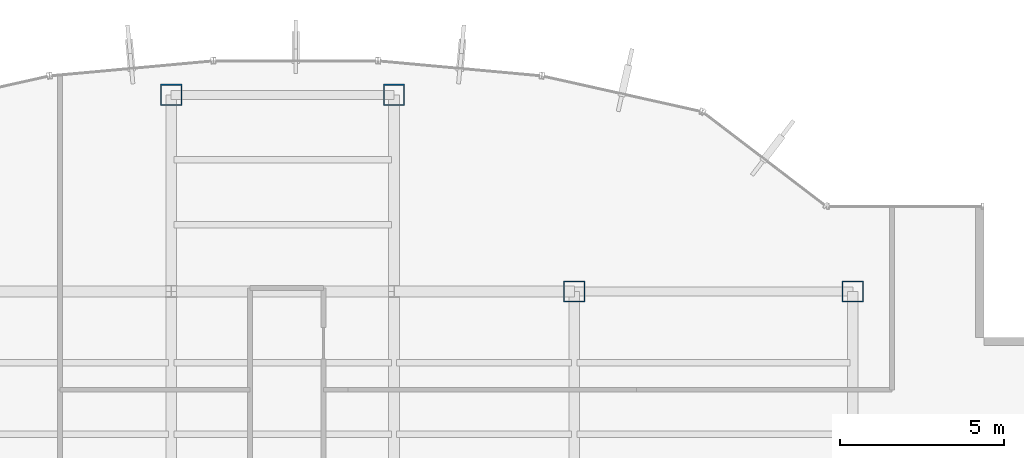
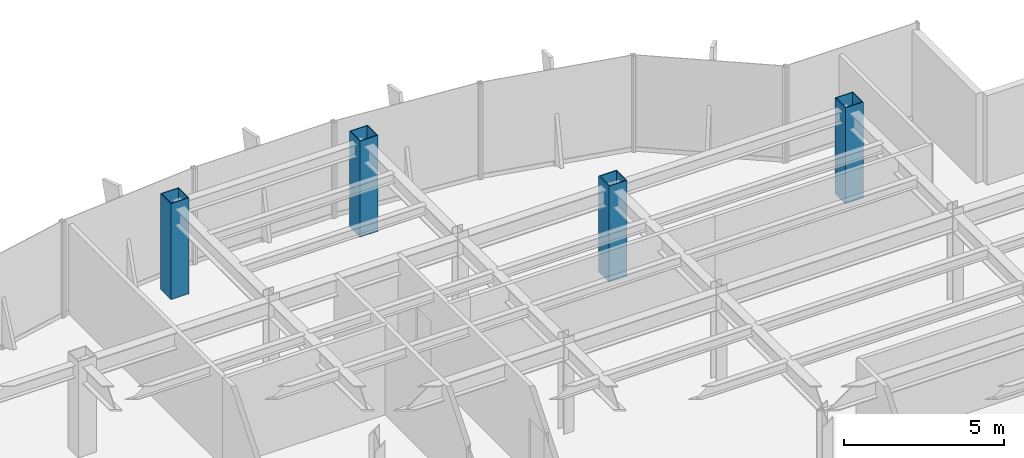
# One storey, part 2 of 25: 4 columns.
"""IFC4 building model written with IfcOpenShell, lengths in metres."""

import ifcopenshell
import ifcopenshell.guid

model = None  # the IFC model being written
_history = None  # IfcOwnerHistory: only IFC2X3 demands one
_inside = {}  # id of a spatial element -> (the spatial element, [elements in it])
_under = {}  # id of a project, library or spatial element -> (it, [spatial elements below it])
_declared = {}  # id of a project -> (the project, [libraries it declares])
_typed = {}  # id of a type object -> (the type object, [elements of that type])
_made_of = {}  # id of a material, layer set ... -> (it, [elements and type objects made of it])


def new_model(schema):
    """Start an empty IFC model of exactly this schema.

    Asked for "IFC4X3", IfcOpenShell would pick the latest addendum, in which some entities
    have other attributes; the version numbers below select the first issue.
    IFC2X3 requires an IfcOwnerHistory on every rooted entity: one is made here for all.
    """
    global model, _history
    if schema == "IFC4X3":
        model = ifcopenshell.file(schema_version=(4, 3, 0, 0))
    else:
        model = ifcopenshell.file(schema=schema)
    _inside.clear()
    _under.clear()
    _declared.clear()
    _typed.clear()
    _made_of.clear()
    _history = None
    if model.schema == "IFC2X3":
        org = make("IfcOrganization", Name="unknown")
        user = make(
            "IfcPersonAndOrganization",
            ThePerson=make("IfcPerson", FamilyName="unknown"),
            TheOrganization=org,
        )
        app = make(
            "IfcApplication",
            ApplicationDeveloper=org,
            Version="unknown",
            ApplicationFullName="unknown",
            ApplicationIdentifier="unknown",
        )
        _history = make(
            "IfcOwnerHistory",
            OwningUser=user,
            OwningApplication=app,
            ChangeAction="ADDED",
            CreationDate=0,
        )
    return model


def make(cls, **values):
    """One entity of the class cls with the attributes given. An attribute that is None is left unset."""
    return model.create_entity(
        cls, **{name: value for name, value in values.items() if value is not None}
    )


def rooted(cls, **values):
    """An entity with a GlobalId (a new one), such as an element, a storey or a relation."""
    return make(cls, GlobalId=ifcopenshell.guid.new(), OwnerHistory=_history, **values)


def si_unit(unit_type, name, prefix=None):
    """IfcSIUnit, for example si_unit("LENGTHUNIT", "METRE", prefix="MILLI")."""
    return make("IfcSIUnit", UnitType=unit_type, Prefix=prefix, Name=name)


def derived_unit(unit_type, elements):
    """IfcDerivedUnit: a product of units, each with its exponent."""
    return make(
        "IfcDerivedUnit",
        Elements=[
            make("IfcDerivedUnitElement", Unit=unit, Exponent=power)
            for unit, power in elements
        ],
        UnitType=unit_type,
    )


def assignment(units):
    """IfcUnitAssignment: the units of a project."""
    return None if units is None else make("IfcUnitAssignment", Units=units)


def point(xyz):
    """IfcCartesianPoint."""
    return None if xyz is None else make("IfcCartesianPoint", Coordinates=xyz)


def direction(xyz):
    """IfcDirection."""
    return None if xyz is None else make("IfcDirection", DirectionRatios=xyz)


def frame(location, z_axis=None, x_axis=None):
    """IfcAxis2Placement3D, a coordinate frame: its origin and axes. An axis left out is left unset."""
    return make(
        "IfcAxis2Placement3D",
        Location=point(location),
        Axis=direction(z_axis),
        RefDirection=direction(x_axis),
    )


def frame_2d(location, x_axis=None):
    """IfcAxis2Placement2D, a coordinate frame in the plane: its origin and x axis."""
    return make(
        "IfcAxis2Placement2D", Location=point(location), RefDirection=direction(x_axis)
    )


def origin():
    """The frame at (0, 0, 0) with its axes left unset."""
    return frame((0.0, 0.0, 0.0))


def origin_2d():
    """The frame at (0, 0) in the plane with its x axis left unset."""
    return frame_2d((0.0, 0.0))


def place(relative_to, where):
    """IfcLocalPlacement: puts the frame where relative to a parent placement (None: the world)."""
    return make(
        "IfcLocalPlacement", PlacementRelTo=relative_to, RelativePlacement=where
    )


def context(
    kind, dimensions, precision=None, world=None, true_north=None, identifier=None
):
    """IfcGeometricRepresentationContext, for example the 3D "Model" context."""
    return make(
        "IfcGeometricRepresentationContext",
        ContextIdentifier=identifier,
        ContextType=kind,
        CoordinateSpaceDimension=dimensions,
        Precision=precision,
        WorldCoordinateSystem=world,
        TrueNorth=true_north,
    )


def subcontext(parent, identifier, kind, view, scale=None):
    """IfcGeometricRepresentationSubContext, for example "Body" below "Model"."""
    return make(
        "IfcGeometricRepresentationSubContext",
        ContextIdentifier=identifier,
        ContextType=kind,
        ParentContext=parent,
        TargetScale=scale,
        TargetView=view,
    )


def project(units=None, contexts=None):
    """IfcProject with its units and contexts."""
    return rooted(
        "IfcProject",
        Name="project",
        RepresentationContexts=contexts,
        UnitsInContext=assignment(units),
    )


def spatial(cls, under=None, at=None, **own):
    """A site, building, storey or space (cls), placed at a placement, below another one or the project."""
    s = rooted(cls, ObjectPlacement=at, **own)
    if under is not None:
        _under.setdefault(under.id(), (under, []))[1].append(s)
    return s


def profile(cls, at=None, kind="AREA", **sizes):
    """A parametric profile (cls). Its sizes go by their IFC names, for example OverallWidth=200.0."""
    return make(cls, ProfileType=kind, Position=at, **sizes)


def hollow_rectangle(**sizes):
    """IfcRectangleHollowProfileDef."""
    return profile("IfcRectangleHollowProfileDef", **sizes)


def extrude(swept, where, along, depth):
    """IfcExtrudedAreaSolid: the profile swept, set in the frame where, extruded along a direction by depth."""
    return make(
        "IfcExtrudedAreaSolid",
        SweptArea=swept,
        Position=where,
        ExtrudedDirection=direction(along),
        Depth=depth,
    )


def shape(context_of_items, identifier, shape_type, items):
    """IfcShapeRepresentation: the items that make up one representation, for example the "Body"."""
    return make(
        "IfcShapeRepresentation",
        ContextOfItems=context_of_items,
        RepresentationIdentifier=identifier,
        RepresentationType=shape_type,
        Items=items,
    )


def source(mapping_origin, context_of_items, identifier, shape_type, items):
    """IfcRepresentationMap: a shape defined once, which mapped items show again and again."""
    return make(
        "IfcRepresentationMap",
        MappingOrigin=mapping_origin,
        MappedRepresentation=shape(context_of_items, identifier, shape_type, items),
    )


def transform(
    local_origin,
    x_axis=None,
    y_axis=None,
    z_axis=None,
    scale=None,
    scale2=None,
    scale3=None,
    uniform=True,
):
    """IfcCartesianTransformationOperator3D, or its non-uniform kind. x_axis, y_axis, z_axis: its Axis1, 2, 3."""
    if uniform:
        return make(
            "IfcCartesianTransformationOperator3D",
            Axis1=direction(x_axis),
            Axis2=direction(y_axis),
            LocalOrigin=point(local_origin),
            Scale=scale,
            Axis3=direction(z_axis),
        )
    return make(
        "IfcCartesianTransformationOperator3DnonUniform",
        Axis1=direction(x_axis),
        Axis2=direction(y_axis),
        LocalOrigin=point(local_origin),
        Scale=scale,
        Axis3=direction(z_axis),
        Scale2=scale2,
        Scale3=scale3,
    )


def mapped(mapping_source, mapping_target):
    """IfcMappedItem: shows the shape of a source again, moved by a transform."""
    return make(
        "IfcMappedItem", MappingSource=mapping_source, MappingTarget=mapping_target
    )


def material(Name=None, Category=None):
    """IfcMaterial."""
    return make("IfcMaterial", Name=Name, Category=Category)


def material_profile(
    of_material, cross_section, Name=None, Category=None, Priority=None
):
    """IfcMaterialProfile: a cross section and its material."""
    return make(
        "IfcMaterialProfile",
        Name=Name,
        Material=of_material,
        Profile=cross_section,
        Priority=Priority,
        Category=Category,
    )


def profile_set(profiles, Name=None, composite=None):
    """IfcMaterialProfileSet."""
    return make(
        "IfcMaterialProfileSet",
        Name=Name,
        MaterialProfiles=profiles,
        CompositeProfile=composite,
    )


def made_of(thing, what):
    """Note that an element or type object is made of a material, layer set ...; save() writes the relation."""
    if what is not None:
        _made_of.setdefault(what.id(), (what, []))[1].append(thing)
    return thing


def type_object(cls, material=None, **own):
    """A type object (cls), such as IfcWallType, which elements share."""
    return made_of(rooted(cls, **own), material)


def element(
    cls,
    number,
    at=None,
    inside=None,
    cuts=None,
    type_object=None,
    material=None,
    context=None,
    identifier="Body",
    shape_type=None,
    held_by="IfcProductDefinitionShape",
    body=None,
    shapes=None,
    **own,
):
    """One element of the class cls, such as IfcWall. Its Tag is "e" and its number.

    at: its placement. inside: the storey or other place that contains it. cuts: it is an
    opening in that element (IfcRelVoidsElement). A single representation is given by context,
    identifier, shape_type and body (its items); several are given by shapes. held_by: the class
    of the entity that holds the representations. save() writes the other relations.
    """
    e = rooted(cls, Tag="e%d" % number, ObjectPlacement=at, **own)
    if body is not None:
        shapes = [shape(context, identifier, shape_type, body)]
    if shapes is not None:
        e.Representation = make(held_by, Representations=shapes)
    if inside is not None:
        _inside.setdefault(inside.id(), (inside, []))[1].append(e)
    if cuts is not None:
        rooted(
            "IfcRelVoidsElement", RelatingBuildingElement=cuts, RelatedOpeningElement=e
        )
    if type_object is not None:
        _typed.setdefault(type_object.id(), (type_object, []))[1].append(e)
    return made_of(e, material)


def aggregate(whole, parts):
    """IfcRelAggregates: a whole, such as a stair, and the parts it consists of."""
    return rooted("IfcRelAggregates", RelatingObject=whole, RelatedObjects=parts)


def save(model, path):
    """Write the relations noted so far, then the file.

    IfcRelAggregates (storeys below a building ...), IfcRelContainedInSpatialStructure (elements
    in a storey), IfcRelDefinesByType, IfcRelAssociatesMaterial and IfcRelDeclares: one each for
    every whole, place, type object, material and project.
    """
    for whole, parts in _under.values():
        aggregate(whole, parts)
    for where, things in _inside.values():
        rooted(
            "IfcRelContainedInSpatialStructure",
            RelatedElements=things,
            RelatingStructure=where,
        )
    for kind, things in _typed.values():
        rooted("IfcRelDefinesByType", RelatedObjects=things, RelatingType=kind)
    for what, things in _made_of.values():
        rooted("IfcRelAssociatesMaterial", RelatedObjects=things, RelatingMaterial=what)
    for by, libraries in _declared.values():
        rooted("IfcRelDeclares", RelatingContext=by, RelatedDefinitions=libraries)
    model.write(path)


model = new_model("IFC4")

# Units and contexts
model_context = context("Model", 3, precision=1e-05, world=origin(), true_north=direction((0.0, 1.0)))
body_context = subcontext(model_context, "Body", "Model", "MODEL_VIEW")
ifc_project = project(units=[si_unit("LENGTHUNIT", "METRE"), si_unit("AREAUNIT", "SQUARE_METRE"), si_unit("VOLUMEUNIT", "CUBIC_METRE"), si_unit("PLANEANGLEUNIT", "RADIAN"), si_unit("MASSUNIT", "GRAM", prefix="KILO"), derived_unit("THERMALTRANSMITTANCEUNIT", [(si_unit("POWERUNIT", "WATT"), 1), (si_unit("LENGTHUNIT", "METRE"), -2), (si_unit("THERMODYNAMICTEMPERATUREUNIT", "KELVIN"), -1)])], contexts=[model_context])

# Site, building, storey
site_placement = place(None, origin())
site = spatial("IfcSite", under=ifc_project, at=site_placement, CompositionType="ELEMENT")
building_placement = place(site_placement, origin())
building = spatial("IfcBuilding", under=site, at=building_placement, Name="Skarnbrae Concourse Arena and Tower", CompositionType="ELEMENT")
storey_placement = place(building_placement, frame((0.0, 0.0, 147.89990234375)))
storey = spatial("IfcBuildingStorey", under=building, at=storey_placement, Name="L37", CompositionType="ELEMENT", Elevation=147.89990234375)

# Columns
ifc_material = material(Name="Steel CSA G40.21 350W", Category="steel")
ifc_material_profile = material_profile(ifc_material, hollow_rectangle(XDim=0.64990234375, YDim=0.64990234375, WallThickness=0.031982421875, at=origin_2d()), Name="BOX650X650X32")
ifc_profile_set = profile_set([ifc_material_profile], Name="Steel CSA G40.21 350W")
column_type = type_object("IfcColumnType", Name="COL-TUBE-BOX650", PredefinedType="COLUMN", material=ifc_profile_set)
shared_shape = source(origin(), body_context, "Body", "SweptSolid", [
    extrude(hollow_rectangle(XDim=0.64990234375, YDim=0.64990234375, WallThickness=0.031982421875, at=origin_2d()), origin(), (0.0, 0.0, 1.0), 3.650146484375),
])
for number, where, z_axis, x_axis, name in (
    (1, (21.199951171875, 40.39990234375, 0.0), (0.0, 0.0, 1.0), (1.0, 0.0, 0.0), "L37 Tower column PC_04_06"),
    (2, (28.0, 40.39990234375, 0.0), (0.0, 0.0, 1.0), (1.0, 0.0, 0.0), "L37 Tower column PC_05_06"),
    (3, (33.5, 34.39990234375, 0.0), (0.0, 0.0, 1.0), (1.0, 0.0, 0.0), "L37 Tower column PC_06_05"),
    (4, (42.0, 34.39990234375, 0.0), (0.0, 0.0, 1.0), (1.0, 0.0, 0.0), "L37 Tower column PC_07_05"),
):
    element("IfcColumn", number, at=place(storey_placement, frame(where, z_axis=z_axis, x_axis=x_axis)), inside=storey, type_object=column_type, Name=name, PredefinedType="COLUMN", context=body_context, shape_type="MappedRepresentation", body=[
        mapped(shared_shape, transform((0.0, 0.0, 0.0))),
    ])

save(model, "model.ifc")
